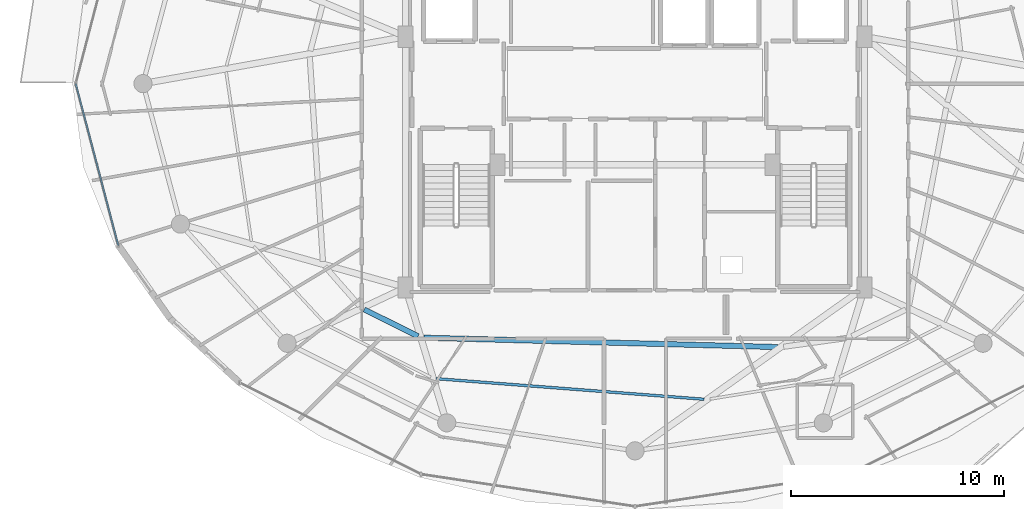
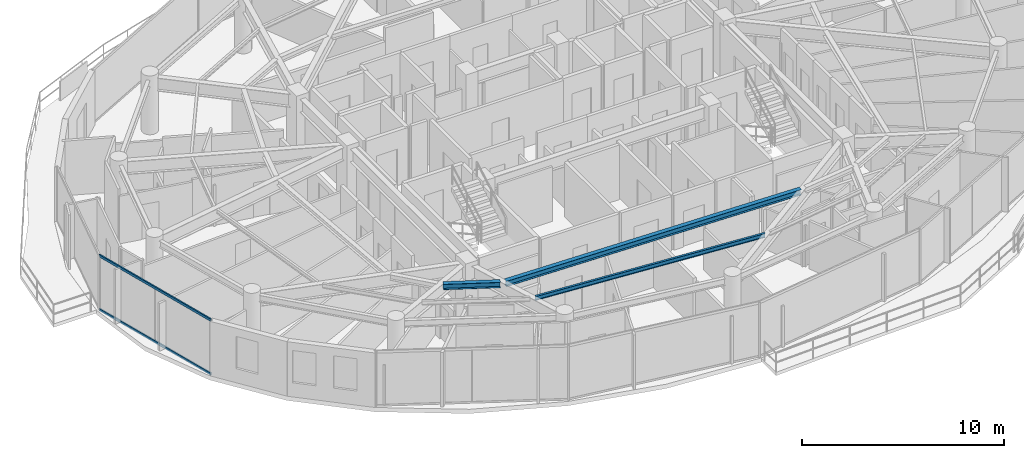
# One storey, part 5 of 29: 3 beams, 2 members, 1 element without a shape of its own.
"""IFC4 building model written with IfcOpenShell, lengths in metres."""

from ifc_helpers import new_model, si_unit, direction, frame, origin, origin_2d, place, context, subcontext, project, spatial, hollow_rectangle, i_section, extrude, material, material_profile, profile_set, type_object, element, aggregate, save


model = new_model("IFC4")

# Units and contexts
model_context = context("Model", 3, precision=1e-05, world=origin(), true_north=direction((0.0, 1.0)))
body_context = subcontext(model_context, "Body", "Model", "MODEL_VIEW")
ifc_project = project(units=[si_unit("LENGTHUNIT", "METRE"), si_unit("AREAUNIT", "SQUARE_METRE"), si_unit("VOLUMEUNIT", "CUBIC_METRE"), si_unit("PLANEANGLEUNIT", "RADIAN"), si_unit("MASSUNIT", "GRAM", prefix="KILO")], contexts=[model_context])

# Site, building, storey
site_placement = place(None, origin())
site = spatial("IfcSite", under=ifc_project, at=site_placement, CompositionType="ELEMENT")
building_placement = place(site_placement, origin())
building = spatial("IfcBuilding", under=site, at=building_placement, Name="Vorneva Point Tower", CompositionType="ELEMENT")
storey_placement = place(building_placement, frame((0.0, 0.0, 255.550048828125)))
storey = spatial("IfcBuildingStorey", under=building, at=storey_placement, Name="L69", CompositionType="ELEMENT", Elevation=255.550048828125)

# Beams
ifc_material_1 = material(Name="Steel S355", Category="steel")
ifc_material_profile_1 = material_profile(ifc_material_1, i_section(OverallWidth=0.1240234375, OverallDepth=0.248046875, WebThickness=0.0048828125, FlangeThickness=0.008056640625, at=origin_2d()), Name="25B1")
ifc_profile_set_1 = profile_set([ifc_material_profile_1], Name="Steel S355")
beam_type_1 = type_object("IfcBeamType", Name="BM-JST-25B1", PredefinedType="JOIST", material=ifc_profile_set_1)
beam_1_placement = place(storey_placement, frame((28.68359375, 12.179931640625, 3.166015625), z_axis=(0.997054827602, -0.076692051447, 0.0), x_axis=(0.076692051447, 0.997054827602, 0.0)))
element("IfcBeam", 1, at=beam_1_placement, inside=storey, type_object=beam_type_1, Name="L69 Secondary Floor Beam 1.12", PredefinedType="JOIST", context=body_context, shape_type="SweptSolid", body=[
    extrude(i_section(OverallWidth=0.1240234375, OverallDepth=0.248046875, WebThickness=0.0048828125, FlangeThickness=0.008056640625, at=origin_2d()), origin(), (0.0, 0.0, 1.0), 12.593505859375),
])
ifc_material_profile_2 = material_profile(ifc_material_1, i_section(OverallWidth=0.2490234375, OverallDepth=0.333984375, WebThickness=0.008056640625, FlangeThickness=0.010986328125, at=origin_2d()), Name="35Sh1")
ifc_profile_set_2 = profile_set([ifc_material_profile_2], Name="Steel S355")
beam_type_2 = type_object("IfcBeamType", Name="BM-SEC-35Sh1", PredefinedType="BEAM", material=ifc_profile_set_2)
beam_2_placement = place(storey_placement, frame((25.313720703125, 15.418701171875, 3.123046875), z_axis=(0.895531752864, -0.444997617536, 0.0), x_axis=(0.444997617536, 0.895531752864, 0.0)))
element("IfcBeam", 2, at=beam_2_placement, inside=storey, type_object=beam_type_2, Name="L69 Secondary Floor Beam 2.11", PredefinedType="BEAM", context=body_context, shape_type="SweptSolid", body=[
    extrude(i_section(OverallWidth=0.2490234375, OverallDepth=0.333984375, WebThickness=0.008056640625, FlangeThickness=0.010986328125, at=origin_2d()), origin(), (0.0, 0.0, 1.0), 2.822265625),
])
beam_3_placement = place(storey_placement, frame((28.1025390625, 14.09765625, 3.123046875), z_axis=(0.999651399145, -0.026402276188, 0.0), x_axis=(0.026402276188, 0.999651399145, 0.0)))
element("IfcBeam", 3, at=beam_3_placement, inside=storey, type_object=beam_type_2, Name="L69 Secondary Floor Beam 2.12", PredefinedType="BEAM", context=body_context, shape_type="SweptSolid", body=[
    extrude(i_section(OverallWidth=0.2490234375, OverallDepth=0.333984375, WebThickness=0.008056640625, FlangeThickness=0.010986328125, at=origin_2d()), origin(), (0.0, 0.0, 1.0), 16.589111328125),
])

# Curtain wall, members
ifc_material_2 = material(Name="Pale anodised aluminium", Category="aluminium")
curtain_wall_type = type_object("IfcCurtainWallType", Name="CW-RES-SYS", PredefinedType="NOTDEFINED", material=ifc_material_2)
curtain_wall_placement = place(storey_placement, origin())
curtain_wall = element("IfcCurtainWall", 4, at=curtain_wall_placement, inside=storey, type_object=curtain_wall_type, Name="L69 Unitised Curtain Wall CW-L69-R03", PredefinedType="NOTDEFINED")
ifc_material_profile_3 = material_profile(ifc_material_2, hollow_rectangle(XDim=0.074951171875, YDim=0.14990234375, WallThickness=0.00390625, at=origin_2d()), Name="AL-TRN 150x75x4")
ifc_profile_set_3 = profile_set([ifc_material_profile_3], Name="Pale anodised aluminium")
member_type = type_object("IfcMemberType", Name="CW-TRN-150", PredefinedType="USERDEFINED", material=ifc_profile_set_3)
member_1_placement = place(storey_placement, frame((11.800048828125, 26.0, 0.02001953125), z_axis=(0.254418180926, -0.967094302131, 0.0), x_axis=(0.967094302131, 0.254418180926, 0.0)))
member_1 = element("IfcMember", 5, at=member_1_placement, type_object=member_type, Name="CW-L69-R03 Transom 02.1", ObjectType="TRANSOM", PredefinedType="USERDEFINED", context=body_context, shape_type="SweptSolid", body=[
    extrude(hollow_rectangle(XDim=0.074951171875, YDim=0.14990234375, WallThickness=0.00390625, at=origin_2d()), origin(), (0.0, 0.0, 1.0), 7.839111328125),
])
member_2_placement = place(storey_placement, frame((11.800048828125, 26.0, 3.27001953125), z_axis=(0.254418180926, -0.967094302131, 0.0), x_axis=(0.967094302131, 0.254418180926, 0.0)))
member_2 = element("IfcMember", 6, at=member_2_placement, type_object=member_type, Name="CW-L69-R03 Transom 02.2", ObjectType="TRANSOM", PredefinedType="USERDEFINED", context=body_context, shape_type="SweptSolid", body=[
    extrude(hollow_rectangle(XDim=0.074951171875, YDim=0.14990234375, WallThickness=0.00390625, at=origin_2d()), origin(), (0.0, 0.0, 1.0), 7.839111328125),
])
aggregate(curtain_wall, [member_1, member_2])

save(model, "model.ifc")
